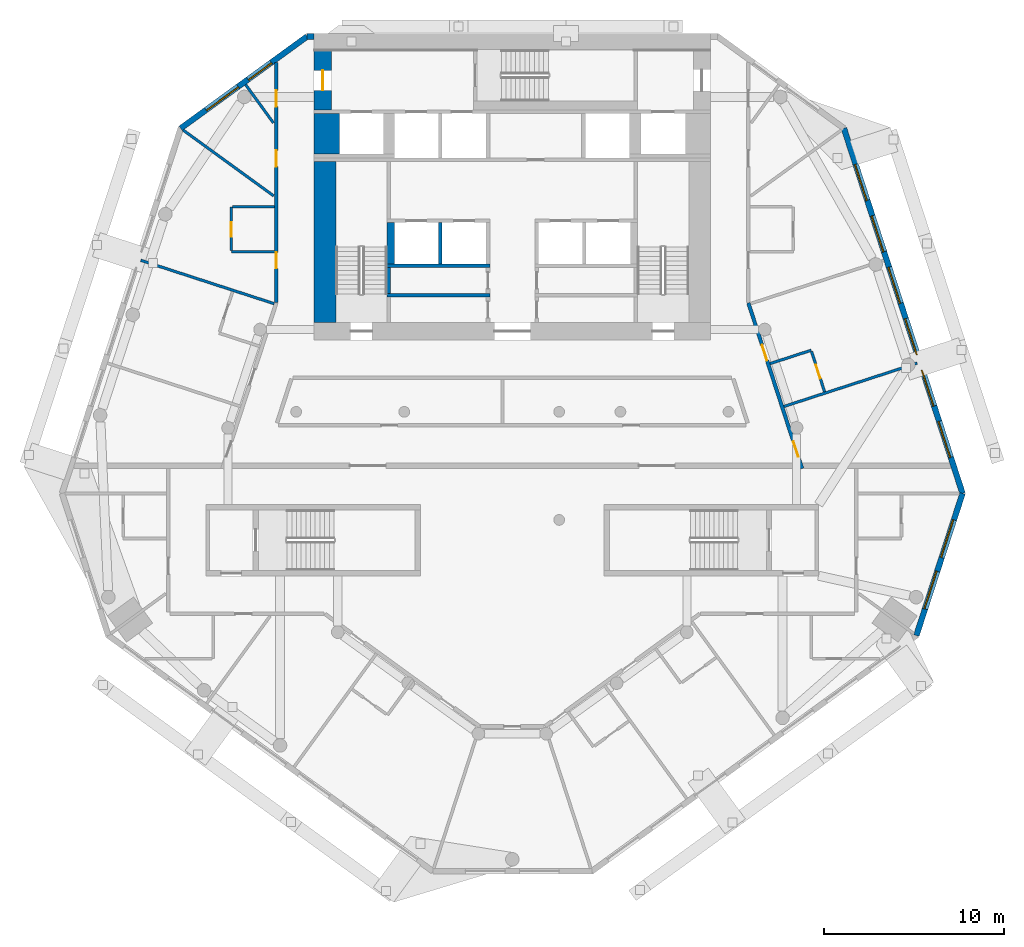
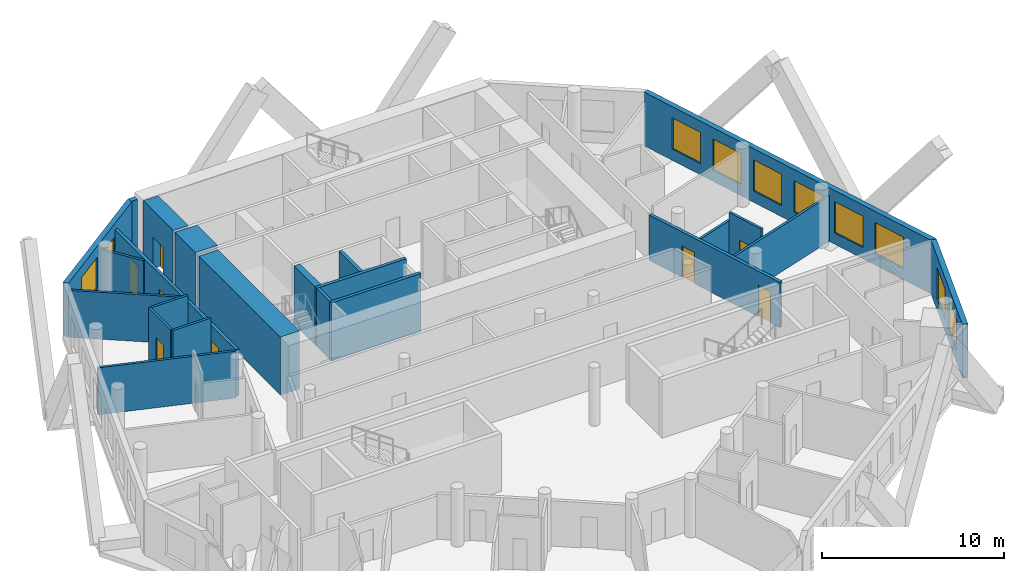
# One storey, part 6 of 10: 23 walls, 10 windows, 8 doors, 18 openings.
"""IFC4 building model written with IfcOpenShell, lengths in metres."""

from ifc_helpers import new_model, si_unit, direction, frame, frame_2d, origin, place, context, subcontext, project, spatial, rectangle, extrude, material, layer, layer_set, type_object, element, fill, save


model = new_model("IFC4")

# Units and contexts
model_context = context("Model", 3, precision=1e-05, world=origin(), true_north=direction((0.0, 1.0)))
body_context = subcontext(model_context, "Body", "Model", "MODEL_VIEW")
ifc_project = project(units=[si_unit("LENGTHUNIT", "METRE"), si_unit("AREAUNIT", "SQUARE_METRE"), si_unit("VOLUMEUNIT", "CUBIC_METRE"), si_unit("PLANEANGLEUNIT", "RADIAN"), si_unit("MASSUNIT", "GRAM", prefix="KILO")], contexts=[model_context])

# Site, building, storey
site_placement = place(None, origin())
site = spatial("IfcSite", under=ifc_project, at=site_placement, CompositionType="ELEMENT")
building_placement = place(site_placement, origin())
building = spatial("IfcBuilding", under=site, at=building_placement, Name="White Candle Pilgrim Tower", CompositionType="ELEMENT")
storey_placement = place(building_placement, frame((0.0, 0.0, 183.699951171875)))
storey = spatial("IfcBuildingStorey", under=building, at=storey_placement, Name="L42", CompositionType="ELEMENT", Elevation=183.699951171875)

# Wall
ifc_material_1 = material(Name="Concrete C60/75", Category="concrete")
ifc_layer_1 = layer(ifc_material_1, 1.39990234375)
ifc_layer_set_1 = layer_set([ifc_layer_1], Name="Core wall 1400 mm Concrete C60/75")
wall_type_1 = type_object("IfcWallType", Name="Core wall 1400 mm Concrete C60/75", PredefinedType="SHEAR", material=ifc_layer_set_1)
wall_1_placement = place(storey_placement, frame((59.699951171875, 81.300048828125, 0.0), z_axis=(0.0, 0.0, 1.0), x_axis=(0.0, 1.0, 0.0)))
element("IfcWall", 1, at=wall_1_placement, inside=storey, type_object=wall_type_1, Name="WL-L42-C42", PredefinedType="SHEAR", context=body_context, shape_type="SweptSolid", body=[
    extrude(rectangle(XDim=2.25, YDim=1.39990234375, at=frame_2d((1.125, 0.0))), origin(), (0.0, 0.0, 1.0), 3.900146484375),
])

# Wall, opening, door
ifc_layer_2 = layer(ifc_material_1, 0.949951171875)
ifc_layer_set_2 = layer_set([ifc_layer_2], Name="Core wall 950 mm Concrete C60/75")
wall_type_2 = type_object("IfcWallType", Name="Core wall 950 mm Concrete C60/75", PredefinedType="SHEAR", material=ifc_layer_set_2)
wall_2_placement = place(storey_placement, frame((59.47509765625, 83.75, 0.0), z_axis=(0.0, 0.0, 1.0), x_axis=(0.0, 1.0, 0.0)))
wall_2 = element("IfcWall", 2, at=wall_2_placement, inside=storey, type_object=wall_type_2, Name="WL-L42-C47", PredefinedType="SHEAR", context=body_context, shape_type="SweptSolid", body=[
    extrude(rectangle(XDim=3.300048828125, YDim=0.949951171875, at=frame_2d((1.64990234375, 0.0))), origin(), (0.0, 0.0, 1.0), 3.900146484375),
])
opening_1_placement = place(wall_2_placement, frame((1.10009765625, 0.0, 0.0)))
opening_1 = element("IfcOpeningElement", 3, at=opening_1_placement, cuts=wall_2, Name="Opening T13-009", PredefinedType="OPENING", context=body_context, shape_type="SweptSolid", body=[
    extrude(rectangle(XDim=1.10009765625, YDim=2.10009765625, at=frame_2d((0.550048828125, 1.050048828125))), frame((0.0, 0.48486328125, 0.0), z_axis=(0.0, -1.0, 0.0), x_axis=(1.0, 0.0, 0.0)), (0.0, 0.0, 1.0), 0.969970703125),
])
ifc_material_2 = material(Name="Steel door leaf", Category="steel")
door_type_1 = type_object("IfcDoorType", Name="Fire door 1100 x 2100 EI 60", OperationType="NOTDEFINED", PredefinedType="DOOR", material=ifc_material_2)
door_1_placement = place(opening_1_placement, origin())
door_1 = element("IfcDoor", 4, at=door_1_placement, inside=storey, type_object=door_type_1, Name="Door T13-009", OperationType="SINGLE_SWING_LEFT", OverallHeight=2.10009765625, OverallWidth=1.10009765625, PredefinedType="DOOR", context=body_context, shape_type="SweptSolid", body=[
    extrude(rectangle(XDim=1.10009765625, YDim=2.10009765625, at=frame_2d((0.550048828125, 1.050048828125))), frame((0.0, 0.02490234375, 0.0), z_axis=(0.0, -1.0, 0.0), x_axis=(1.0, 0.0, 0.0)), (0.0, 0.0, 1.0), 0.050048828125),
])
fill(opening_1, door_1)

# Wall, openings, doors
ifc_material_3 = material(Name="Gypsum board on steel studs", Category="steel")
ifc_layer_3 = layer(ifc_material_3, 0.199951171875)
ifc_layer_set_3 = layer_set([ifc_layer_3], Name="Corridor wall 200 mm EI 45")
wall_type_3 = type_object("IfcWallType", Name="Corridor wall 200 mm EI 45", PredefinedType="PARTITIONING", material=ifc_layer_set_3)
wall_3_placement = place(storey_placement, frame((56.89990234375, 73.072021484375, 0.0), z_axis=(0.0, 0.0, 1.0), x_axis=(0.0, 1.0, 0.0)))
wall_3 = element("IfcWall", 5, at=wall_3_placement, inside=storey, type_object=wall_type_3, Name="WL-L42-P003", PredefinedType="PARTITIONING", context=body_context, shape_type="SweptSolid", body=[
    extrude(rectangle(XDim=13.32421875, YDim=0.199951171875, at=frame_2d((6.662109375, 0.0))), origin(), (0.0, 0.0, 1.0), 3.150146484375),
])
opening_2_placement = place(wall_3_placement, frame((1.885498046875, 0.0, 0.0)))
opening_2 = element("IfcOpeningElement", 6, at=opening_2_placement, cuts=wall_3, Name="Opening T13-126", PredefinedType="OPENING", context=body_context, shape_type="SweptSolid", body=[
    extrude(rectangle(XDim=0.89990234375, YDim=2.10009765625, at=frame_2d((0.449951171875, 1.050048828125))), frame((0.0, 0.10986328125, 0.0), z_axis=(0.0, -1.0, 0.0), x_axis=(1.0, 0.0, 0.0)), (0.0, 0.0, 1.0), 0.219970703125),
])
opening_3_placement = place(wall_3_placement, frame((7.54150390625, 0.0, 0.0)))
opening_3 = element("IfcOpeningElement", 7, at=opening_3_placement, cuts=wall_3, Name="Opening T13-127", PredefinedType="OPENING", context=body_context, shape_type="SweptSolid", body=[
    extrude(rectangle(XDim=0.89990234375, YDim=2.10009765625, at=frame_2d((0.449951171875, 1.050048828125))), frame((0.0, 0.10986328125, 0.0), z_axis=(0.0, -1.0, 0.0), x_axis=(1.0, 0.0, 0.0)), (0.0, 0.0, 1.0), 0.219970703125),
])
opening_4_placement = place(wall_3_placement, frame((10.87548828125, 0.0, 0.0)))
opening_4 = element("IfcOpeningElement", 8, at=opening_4_placement, cuts=wall_3, Name="Opening T13-128", PredefinedType="OPENING", context=body_context, shape_type="SweptSolid", body=[
    extrude(rectangle(XDim=0.89990234375, YDim=2.10009765625, at=frame_2d((0.449951171875, 1.050048828125))), frame((0.0, 0.10986328125, 0.0), z_axis=(0.0, -1.0, 0.0), x_axis=(1.0, 0.0, 0.0)), (0.0, 0.0, 1.0), 0.219970703125),
])
door_type_2 = type_object("IfcDoorType", Name="Fire door 900 x 2100 EI 30", OperationType="NOTDEFINED", PredefinedType="DOOR", material=ifc_material_2)
door_2_placement = place(opening_2_placement, frame((0.89990234375, 0.0, 0.0), z_axis=(0.0, 0.0, 1.0), x_axis=(-1.0, 0.0, 0.0)))
door_2 = element("IfcDoor", 9, at=door_2_placement, inside=storey, type_object=door_type_2, Name="Door T13-126", OperationType="SINGLE_SWING_LEFT", OverallHeight=2.10009765625, OverallWidth=0.89990234375, PredefinedType="DOOR", context=body_context, shape_type="SweptSolid", body=[
    extrude(rectangle(XDim=0.89990234375, YDim=2.10009765625, at=frame_2d((0.449951171875, 1.050048828125))), frame((0.0, 0.02490234375, 0.0), z_axis=(0.0, -1.0, 0.0), x_axis=(1.0, 0.0, 0.0)), (0.0, 0.0, 1.0), 0.050048828125),
])
fill(opening_2, door_2)
door_3_placement = place(opening_3_placement, origin())
door_3 = element("IfcDoor", 10, at=door_3_placement, inside=storey, type_object=door_type_2, Name="Door T13-127", OperationType="SINGLE_SWING_LEFT", OverallHeight=2.10009765625, OverallWidth=0.89990234375, PredefinedType="DOOR", context=body_context, shape_type="SweptSolid", body=[
    extrude(rectangle(XDim=0.89990234375, YDim=2.10009765625, at=frame_2d((0.449951171875, 1.050048828125))), frame((0.0, 0.02490234375, 0.0), z_axis=(0.0, -1.0, 0.0), x_axis=(1.0, 0.0, 0.0)), (0.0, 0.0, 1.0), 0.050048828125),
])
fill(opening_3, door_3)
door_4_placement = place(opening_4_placement, origin())
door_4 = element("IfcDoor", 11, at=door_4_placement, inside=storey, type_object=door_type_2, Name="Door T13-128", OperationType="SINGLE_SWING_RIGHT", OverallHeight=2.10009765625, OverallWidth=0.89990234375, PredefinedType="DOOR", context=body_context, shape_type="SweptSolid", body=[
    extrude(rectangle(XDim=0.89990234375, YDim=2.10009765625, at=frame_2d((0.449951171875, 1.050048828125))), frame((0.0, 0.02490234375, 0.0), z_axis=(0.0, -1.0, 0.0), x_axis=(1.0, 0.0, 0.0)), (0.0, 0.0, 1.0), 0.050048828125),
])
fill(opening_4, door_4)

wall_4_placement = place(storey_placement, frame((83.10498046875, 73.041259765625, 0.0), z_axis=(0.0, 0.0, 1.0), x_axis=(0.309011240603, -0.95105838579, 0.0)))
wall_4 = element("IfcWall", 12, at=wall_4_placement, inside=storey, type_object=wall_type_3, Name="WL-L42-P005", PredefinedType="PARTITIONING", context=body_context, shape_type="SweptSolid", body=[
    extrude(rectangle(XDim=9.6640625, YDim=0.199951171875, at=frame_2d((4.83203125, 0.0))), origin(), (0.0, 0.0, 1.0), 3.050048828125),
])
opening_5_placement = place(wall_4_placement, frame((2.44921875, 0.0, 0.0)))
opening_5 = element("IfcOpeningElement", 13, at=opening_5_placement, cuts=wall_4, Name="Opening T13-132", PredefinedType="OPENING", context=body_context, shape_type="SweptSolid", body=[
    extrude(rectangle(XDim=0.89990234375, YDim=2.10009765625, at=frame_2d((0.449951171875, 1.050048828125))), frame((0.0, 0.10986328125, 0.0), z_axis=(0.0, -1.0, 0.0), x_axis=(1.0, 0.0, 0.0)), (0.0, 0.0, 1.0), 0.219970703125),
])
opening_6_placement = place(wall_4_placement, frame((8.078125, 0.0, 0.0)))
opening_6 = element("IfcOpeningElement", 14, at=opening_6_placement, cuts=wall_4, Name="Opening T13-133", PredefinedType="OPENING", context=body_context, shape_type="SweptSolid", body=[
    extrude(rectangle(XDim=0.89990234375, YDim=2.10009765625, at=frame_2d((0.449951171875, 1.050048828125))), frame((0.0, 0.10986328125, 0.0), z_axis=(0.0, -1.0, 0.0), x_axis=(1.0, 0.0, 0.0)), (0.0, 0.0, 1.0), 0.219970703125),
])
door_5_placement = place(opening_5_placement, origin())
door_5 = element("IfcDoor", 15, at=door_5_placement, inside=storey, type_object=door_type_2, Name="Door T13-132", OperationType="SINGLE_SWING_RIGHT", OverallHeight=2.10009765625, OverallWidth=0.89990234375, PredefinedType="DOOR", context=body_context, shape_type="SweptSolid", body=[
    extrude(rectangle(XDim=0.89990234375, YDim=2.10009765625, at=frame_2d((0.449951171875, 1.050048828125))), frame((0.0, 0.02490234375, 0.0), z_axis=(0.0, -1.0, 0.0), x_axis=(1.0, 0.0, 0.0)), (0.0, 0.0, 1.0), 0.050048828125),
])
fill(opening_5, door_5)
door_6_placement = place(opening_6_placement, origin())
door_6 = element("IfcDoor", 16, at=door_6_placement, inside=storey, type_object=door_type_2, Name="Door T13-133", OperationType="SINGLE_SWING_LEFT", OverallHeight=2.10009765625, OverallWidth=0.89990234375, PredefinedType="DOOR", context=body_context, shape_type="SweptSolid", body=[
    extrude(rectangle(XDim=0.89990234375, YDim=2.10009765625, at=frame_2d((0.449951171875, 1.050048828125))), frame((0.0, 0.02490234375, 0.0), z_axis=(0.0, -1.0, 0.0), x_axis=(1.0, 0.0, 0.0)), (0.0, 0.0, 1.0), 0.050048828125),
])
fill(opening_6, door_6)

# Wall, openings, windows
ifc_material_4 = material(Name="Precast concrete C40/50", Category="concrete")
ifc_layer_4 = layer(ifc_material_4, 0.320068359375)
ifc_layer_set_4 = layer_set([ifc_layer_4], Name="Facade wall EW1 precast concrete C40/50 pier wall with timber-lined reveals")
wall_type_4 = type_object("IfcWallType", Name="Facade wall EW1 precast concrete C40/50 pier wall with timber-lined reveals", PredefinedType="SOLIDWALL", material=ifc_layer_set_4)
wall_5_placement = place(storey_placement, frame((92.43115234375, 54.585205078125, 0.0), z_axis=(0.0, 0.0, 1.0), x_axis=(0.309001512975, 0.951061546368, 0.0)))
wall_5 = element("IfcWall", 17, at=wall_5_placement, inside=storey, type_object=wall_type_4, Name="Facade wall L42 E chamfer", PredefinedType="SOLIDWALL", context=body_context, shape_type="SweptSolid", body=[
    extrude(rectangle(XDim=8.291259765625, YDim=0.320068359375, at=frame_2d((4.1455078125, 0.0))), origin(), (0.0, 0.0, 1.0), 3.60009765625),
])
opening_7_placement = place(wall_5_placement, frame((1.545654296875, 0.0, 0.75)))
opening_7 = element("IfcOpeningElement", 18, at=opening_7_placement, cuts=wall_5, Name="Opening W4", PredefinedType="OPENING", context=body_context, shape_type="SweptSolid", body=[
    extrude(rectangle(XDim=2.199951171875, YDim=2.10009765625, at=frame_2d((1.10009765625, 1.050048828125))), frame((0.0, 0.169921875, 0.0), z_axis=(0.0, -1.0, 0.0), x_axis=(1.0, 0.0, 0.0)), (0.0, 0.0, 1.0), 0.340087890625),
])
opening_8_placement = place(wall_5_placement, frame((4.545654296875, 0.0, 0.75)))
opening_8 = element("IfcOpeningElement", 19, at=opening_8_placement, cuts=wall_5, Name="Opening W4", PredefinedType="OPENING", context=body_context, shape_type="SweptSolid", body=[
    extrude(rectangle(XDim=2.199951171875, YDim=2.10009765625, at=frame_2d((1.10009765625, 1.050048828125))), frame((0.0, 0.169921875, 0.0), z_axis=(0.0, -1.0, 0.0), x_axis=(1.0, 0.0, 0.0)), (0.0, 0.0, 1.0), 0.340087890625),
])
ifc_material_5 = material(Name="Timber frame with triple glazing", Category="wood")
window_type_1 = type_object("IfcWindowType", Name="Window W4 2200x2100 timber frame triple glazing", PartitioningType="SINGLE_PANEL", PredefinedType="WINDOW", material=ifc_material_5)
window_1_placement = place(opening_7_placement, origin())
window_1 = element("IfcWindow", 20, at=window_1_placement, inside=storey, type_object=window_type_1, Name="Window W4 L42 E chamfer 1", OverallHeight=2.10009765625, OverallWidth=2.199951171875, PartitioningType="SINGLE_PANEL", PredefinedType="WINDOW", context=body_context, shape_type="SweptSolid", body=[
    extrude(rectangle(XDim=2.199951171875, YDim=2.10009765625, at=frame_2d((1.10009765625, 1.050048828125))), frame((0.0, 0.070068359375, 0.0), z_axis=(0.0, -1.0, 0.0), x_axis=(1.0, 0.0, 0.0)), (0.0, 0.0, 1.0), 0.06005859375),
])
fill(opening_7, window_1)
window_2_placement = place(opening_8_placement, origin())
window_2 = element("IfcWindow", 21, at=window_2_placement, inside=storey, type_object=window_type_1, Name="Window W4 L42 E chamfer 2", OverallHeight=2.10009765625, OverallWidth=2.199951171875, PartitioningType="SINGLE_PANEL", PredefinedType="WINDOW", context=body_context, shape_type="SweptSolid", body=[
    extrude(rectangle(XDim=2.199951171875, YDim=2.10009765625, at=frame_2d((1.10009765625, 1.050048828125))), frame((0.0, 0.070068359375, 0.0), z_axis=(0.0, -1.0, 0.0), x_axis=(1.0, 0.0, 0.0)), (0.0, 0.0, 1.0), 0.06005859375),
])
fill(opening_8, window_2)

wall_6_placement = place(storey_placement, frame((94.9931640625, 62.470703125, 0.0), z_axis=(0.0, 0.0, 1.0), x_axis=(-0.309014571298, 0.951057303597, 0.0)))
wall_6 = element("IfcWall", 22, at=wall_6_placement, inside=storey, type_object=wall_type_4, Name="Facade wall L42 ENE", PredefinedType="SOLIDWALL", context=body_context, shape_type="SweptSolid", body=[
    extrude(rectangle(XDim=21.3095703125, YDim=0.320068359375, at=frame_2d((10.65478515625, 0.0))), origin(), (0.0, 0.0, 1.0), 3.60009765625),
])
opening_9_placement = place(wall_6_placement, frame((2.104736328125, 0.0, 0.75)))
opening_9 = element("IfcOpeningElement", 23, at=opening_9_placement, cuts=wall_6, Name="Opening W3", PredefinedType="OPENING", context=body_context, shape_type="SweptSolid", body=[
    extrude(rectangle(XDim=2.10009765625, YDim=2.10009765625, at=frame_2d((1.050048828125, 1.050048828125))), frame((0.0, 0.169921875, 0.0), z_axis=(0.0, -1.0, 0.0), x_axis=(1.0, 0.0, 0.0)), (0.0, 0.0, 1.0), 0.340087890625),
])
opening_10_placement = place(wall_6_placement, frame((5.104736328125, 0.0, 0.75)))
opening_10 = element("IfcOpeningElement", 24, at=opening_10_placement, cuts=wall_6, Name="Opening W3", PredefinedType="OPENING", context=body_context, shape_type="SweptSolid", body=[
    extrude(rectangle(XDim=2.10009765625, YDim=2.10009765625, at=frame_2d((1.050048828125, 1.050048828125))), frame((0.0, 0.169921875, 0.0), z_axis=(0.0, -1.0, 0.0), x_axis=(1.0, 0.0, 0.0)), (0.0, 0.0, 1.0), 0.340087890625),
])
opening_11_placement = place(wall_6_placement, frame((8.104736328125, 0.0, 0.75)))
opening_11 = element("IfcOpeningElement", 25, at=opening_11_placement, cuts=wall_6, Name="Opening W3", PredefinedType="OPENING", context=body_context, shape_type="SweptSolid", body=[
    extrude(rectangle(XDim=2.10009765625, YDim=2.10009765625, at=frame_2d((1.050048828125, 1.050048828125))), frame((0.0, 0.169921875, 0.0), z_axis=(0.0, -1.0, 0.0), x_axis=(1.0, 0.0, 0.0)), (0.0, 0.0, 1.0), 0.340087890625),
])
opening_12_placement = place(wall_6_placement, frame((11.104736328125, 0.0, 0.75)))
opening_12 = element("IfcOpeningElement", 26, at=opening_12_placement, cuts=wall_6, Name="Opening W3", PredefinedType="OPENING", context=body_context, shape_type="SweptSolid", body=[
    extrude(rectangle(XDim=2.10009765625, YDim=2.10009765625, at=frame_2d((1.050048828125, 1.050048828125))), frame((0.0, 0.169921875, 0.0), z_axis=(0.0, -1.0, 0.0), x_axis=(1.0, 0.0, 0.0)), (0.0, 0.0, 1.0), 0.340087890625),
])
opening_13_placement = place(wall_6_placement, frame((14.104736328125, 0.0, 0.75)))
opening_13 = element("IfcOpeningElement", 27, at=opening_13_placement, cuts=wall_6, Name="Opening W3", PredefinedType="OPENING", context=body_context, shape_type="SweptSolid", body=[
    extrude(rectangle(XDim=2.10009765625, YDim=2.10009765625, at=frame_2d((1.050048828125, 1.050048828125))), frame((0.0, 0.169921875, 0.0), z_axis=(0.0, -1.0, 0.0), x_axis=(1.0, 0.0, 0.0)), (0.0, 0.0, 1.0), 0.340087890625),
])
opening_14_placement = place(wall_6_placement, frame((17.104736328125, 0.0, 0.75)))
opening_14 = element("IfcOpeningElement", 28, at=opening_14_placement, cuts=wall_6, Name="Opening W3", PredefinedType="OPENING", context=body_context, shape_type="SweptSolid", body=[
    extrude(rectangle(XDim=2.10009765625, YDim=2.10009765625, at=frame_2d((1.050048828125, 1.050048828125))), frame((0.0, 0.169921875, 0.0), z_axis=(0.0, -1.0, 0.0), x_axis=(1.0, 0.0, 0.0)), (0.0, 0.0, 1.0), 0.340087890625),
])
window_type_2 = type_object("IfcWindowType", Name="Window W3 2100x2100 timber frame triple glazing", PartitioningType="SINGLE_PANEL", PredefinedType="WINDOW", material=ifc_material_5)
window_3_placement = place(opening_9_placement, origin())
window_3 = element("IfcWindow", 29, at=window_3_placement, inside=storey, type_object=window_type_2, Name="Window W3 L42 ENE 1", OverallHeight=2.10009765625, OverallWidth=2.10009765625, PartitioningType="SINGLE_PANEL", PredefinedType="WINDOW", context=body_context, shape_type="SweptSolid", body=[
    extrude(rectangle(XDim=2.10009765625, YDim=2.10009765625, at=frame_2d((1.050048828125, 1.050048828125))), frame((0.0, 0.070068359375, 0.0), z_axis=(0.0, -1.0, 0.0), x_axis=(1.0, 0.0, 0.0)), (0.0, 0.0, 1.0), 0.06005859375),
])
fill(opening_9, window_3)
window_4_placement = place(opening_10_placement, origin())
window_4 = element("IfcWindow", 30, at=window_4_placement, inside=storey, type_object=window_type_2, Name="Window W3 L42 ENE 2", OverallHeight=2.10009765625, OverallWidth=2.10009765625, PartitioningType="SINGLE_PANEL", PredefinedType="WINDOW", context=body_context, shape_type="SweptSolid", body=[
    extrude(rectangle(XDim=2.10009765625, YDim=2.10009765625, at=frame_2d((1.050048828125, 1.050048828125))), frame((0.0, 0.070068359375, 0.0), z_axis=(0.0, -1.0, 0.0), x_axis=(1.0, 0.0, 0.0)), (0.0, 0.0, 1.0), 0.06005859375),
])
fill(opening_10, window_4)
window_5_placement = place(opening_11_placement, origin())
window_5 = element("IfcWindow", 31, at=window_5_placement, inside=storey, type_object=window_type_2, Name="Window W3 L42 ENE 3", OverallHeight=2.10009765625, OverallWidth=2.10009765625, PartitioningType="SINGLE_PANEL", PredefinedType="WINDOW", context=body_context, shape_type="SweptSolid", body=[
    extrude(rectangle(XDim=2.10009765625, YDim=2.10009765625, at=frame_2d((1.050048828125, 1.050048828125))), frame((0.0, 0.070068359375, 0.0), z_axis=(0.0, -1.0, 0.0), x_axis=(1.0, 0.0, 0.0)), (0.0, 0.0, 1.0), 0.06005859375),
])
fill(opening_11, window_5)
window_6_placement = place(opening_12_placement, origin())
window_6 = element("IfcWindow", 32, at=window_6_placement, inside=storey, type_object=window_type_2, Name="Window W3 L42 ENE 4", OverallHeight=2.10009765625, OverallWidth=2.10009765625, PartitioningType="SINGLE_PANEL", PredefinedType="WINDOW", context=body_context, shape_type="SweptSolid", body=[
    extrude(rectangle(XDim=2.10009765625, YDim=2.10009765625, at=frame_2d((1.050048828125, 1.050048828125))), frame((0.0, 0.070068359375, 0.0), z_axis=(0.0, -1.0, 0.0), x_axis=(1.0, 0.0, 0.0)), (0.0, 0.0, 1.0), 0.06005859375),
])
fill(opening_12, window_6)
window_7_placement = place(opening_13_placement, origin())
window_7 = element("IfcWindow", 33, at=window_7_placement, inside=storey, type_object=window_type_2, Name="Window W3 L42 ENE 5", OverallHeight=2.10009765625, OverallWidth=2.10009765625, PartitioningType="SINGLE_PANEL", PredefinedType="WINDOW", context=body_context, shape_type="SweptSolid", body=[
    extrude(rectangle(XDim=2.10009765625, YDim=2.10009765625, at=frame_2d((1.050048828125, 1.050048828125))), frame((0.0, 0.070068359375, 0.0), z_axis=(0.0, -1.0, 0.0), x_axis=(1.0, 0.0, 0.0)), (0.0, 0.0, 1.0), 0.06005859375),
])
fill(opening_13, window_7)
window_8_placement = place(opening_14_placement, origin())
window_8 = element("IfcWindow", 34, at=window_8_placement, inside=storey, type_object=window_type_2, Name="Window W3 L42 ENE 6", OverallHeight=2.10009765625, OverallWidth=2.10009765625, PartitioningType="SINGLE_PANEL", PredefinedType="WINDOW", context=body_context, shape_type="SweptSolid", body=[
    extrude(rectangle(XDim=2.10009765625, YDim=2.10009765625, at=frame_2d((1.050048828125, 1.050048828125))), frame((0.0, 0.070068359375, 0.0), z_axis=(0.0, -1.0, 0.0), x_axis=(1.0, 0.0, 0.0)), (0.0, 0.0, 1.0), 0.06005859375),
])
fill(opening_14, window_8)

# Wall
wall_7_placement = place(storey_placement, frame((59.0, 87.840087890625, 0.0), z_axis=(0.0, 0.0, 1.0), x_axis=(-1.0, 0.0, 0.0)))
element("IfcWall", 35, at=wall_7_placement, inside=storey, type_object=wall_type_4, Name="Facade wall L42 N", PredefinedType="SOLIDWALL", context=body_context, shape_type="SweptSolid", body=[
    extrude(rectangle(XDim=0.385009765625, YDim=0.320068359375, at=frame_2d((0.1923828125, 0.0))), origin(), (0.0, 0.0, 1.0), 3.60009765625),
])

# Wall, openings, windows
wall_8_placement = place(storey_placement, frame((58.614990234375, 87.840087890625, 0.0), z_axis=(0.0, 0.0, 1.0), x_axis=(-0.809009624381, -0.587795396085, 0.0)))
wall_8 = element("IfcWall", 36, at=wall_8_placement, inside=storey, type_object=wall_type_4, Name="Facade wall L42 NW chamfer", PredefinedType="SOLIDWALL", context=body_context, shape_type="SweptSolid", body=[
    extrude(rectangle(XDim=8.68115234375, YDim=0.320068359375, at=frame_2d((4.340576171875, 0.0))), origin(), (0.0, 0.0, 1.0), 3.60009765625),
])
opening_15_placement = place(wall_8_placement, frame((2.459716796875, 0.0, 0.89990234375)))
opening_15 = element("IfcOpeningElement", 37, at=opening_15_placement, cuts=wall_8, Name="Opening W2", PredefinedType="OPENING", context=body_context, shape_type="SweptSolid", body=[
    extrude(rectangle(XDim=1.60009765625, YDim=1.800048828125, at=frame_2d((0.800048828125, 0.89990234375))), frame((0.0, 0.169921875, 0.0), z_axis=(0.0, -1.0, 0.0), x_axis=(1.0, 0.0, 0.0)), (0.0, 0.0, 1.0), 0.340087890625),
])
opening_16_placement = place(wall_8_placement, frame((4.740478515625, 0.0, 0.75)))
opening_16 = element("IfcOpeningElement", 38, at=opening_16_placement, cuts=wall_8, Name="Opening W4", PredefinedType="OPENING", context=body_context, shape_type="SweptSolid", body=[
    extrude(rectangle(XDim=2.199951171875, YDim=2.10009765625, at=frame_2d((1.10009765625, 1.050048828125))), frame((0.0, 0.169921875, 0.0), z_axis=(0.0, -1.0, 0.0), x_axis=(1.0, 0.0, 0.0)), (0.0, 0.0, 1.0), 0.340087890625),
])
window_type_3 = type_object("IfcWindowType", Name="Window W2 1600x1800 timber frame triple glazing", PartitioningType="SINGLE_PANEL", PredefinedType="WINDOW", material=ifc_material_5)
window_9_placement = place(opening_15_placement, origin())
window_9 = element("IfcWindow", 39, at=window_9_placement, inside=storey, type_object=window_type_3, Name="Window W2 L42 NW chamfer 1", OverallHeight=1.800048828125, OverallWidth=1.60009765625, PartitioningType="SINGLE_PANEL", PredefinedType="WINDOW", context=body_context, shape_type="SweptSolid", body=[
    extrude(rectangle(XDim=1.60009765625, YDim=1.800048828125, at=frame_2d((0.800048828125, 0.89990234375))), frame((0.0, 0.070068359375, 0.0), z_axis=(0.0, -1.0, 0.0), x_axis=(1.0, 0.0, 0.0)), (0.0, 0.0, 1.0), 0.06005859375),
])
fill(opening_15, window_9)
window_10_placement = place(opening_16_placement, origin())
window_10 = element("IfcWindow", 40, at=window_10_placement, inside=storey, type_object=window_type_1, Name="Window W4 L42 NW chamfer 2", OverallHeight=2.10009765625, OverallWidth=2.199951171875, PartitioningType="SINGLE_PANEL", PredefinedType="WINDOW", context=body_context, shape_type="SweptSolid", body=[
    extrude(rectangle(XDim=2.199951171875, YDim=2.10009765625, at=frame_2d((1.10009765625, 1.050048828125))), frame((0.0, 0.070068359375, 0.0), z_axis=(0.0, -1.0, 0.0), x_axis=(1.0, 0.0, 0.0)), (0.0, 0.0, 1.0), 0.06005859375),
])
fill(opening_16, window_10)

# Walls
ifc_layer_5 = layer(ifc_material_3, 0.14990234375)
ifc_layer_set_5 = layer_set([ifc_layer_5], Name="Partition 150 mm EI 60")
wall_type_5 = type_object("IfcWallType", Name="Partition 150 mm EI 60", PredefinedType="PARTITIONING", material=ifc_layer_set_5)
wall_9_placement = place(storey_placement, frame((51.727783203125, 82.638427734375, 0.0), z_axis=(0.0, 0.0, 1.0), x_axis=(0.809038352218, -0.58775585462, 0.0)))
element("IfcWall", 41, at=wall_9_placement, inside=storey, type_object=wall_type_5, Name="WL-L42-P017", PredefinedType="PARTITIONING", context=body_context, shape_type="SweptSolid", body=[
    extrude(rectangle(XDim=6.21484375, YDim=0.14990234375, at=frame_2d((3.107421875, 0.0))), origin(), (0.0, 0.0, 1.0), 3.150146484375),
])
wall_10_placement = place(storey_placement, frame((55.197509765625, 85.1591796875, 0.0), z_axis=(0.0, 0.0, 1.0), x_axis=(0.587778694089, -0.809021759148, 0.0)))
element("IfcWall", 42, at=wall_10_placement, inside=storey, type_object=wall_type_5, Name="WL-L42-P025", PredefinedType="PARTITIONING", context=body_context, shape_type="SweptSolid", body=[
    extrude(rectangle(XDim=2.623046875, YDim=0.14990234375, at=frame_2d((1.3115234375, 0.0))), origin(), (0.0, 0.0, 1.0), 3.150146484375),
])
wall_11_placement = place(storey_placement, frame((49.37841796875, 75.40771484375, 0.0), z_axis=(0.0, 0.0, 1.0), x_axis=(0.951062659592, -0.308998086611, 0.0)))
element("IfcWall", 43, at=wall_11_placement, inside=storey, type_object=wall_type_5, Name="WL-L42-P026", PredefinedType="PARTITIONING", context=body_context, shape_type="SweptSolid", body=[
    extrude(rectangle(XDim=7.7802734375, YDim=0.14990234375, at=frame_2d((3.89013671875, 0.0))), origin(), (0.0, 0.0, 1.0), 3.150146484375),
])
wall_12_placement = place(storey_placement, frame((56.800048828125, 75.880859375, 0.0), z_axis=(0.0, 0.0, 1.0), x_axis=(-1.0, 0.0, 0.0)))
element("IfcWall", 44, at=wall_12_placement, inside=storey, type_object=wall_type_5, Name="WL-L42-P028", PredefinedType="PARTITIONING", context=body_context, shape_type="SweptSolid", body=[
    extrude(rectangle(XDim=2.400146484375, YDim=0.14990234375, at=frame_2d((1.2001953125, 0.0))), origin(), (0.0, 0.0, 1.0), 3.60009765625),
])

# Wall, opening, door
wall_13_placement = place(storey_placement, frame((54.39990234375, 78.380859375, 0.0), z_axis=(0.0, 0.0, 1.0), x_axis=(0.0, -1.0, 0.0)))
wall_13 = element("IfcWall", 45, at=wall_13_placement, inside=storey, type_object=wall_type_5, Name="WL-L42-P029", PredefinedType="PARTITIONING", context=body_context, shape_type="SweptSolid", body=[
    extrude(rectangle(XDim=2.425048828125, YDim=0.14990234375, at=frame_2d((1.21240234375, 0.0))), origin(), (0.0, 0.0, 1.0), 3.60009765625),
])
opening_17_placement = place(wall_13_placement, frame((0.85009765625, 0.0, 0.0)))
opening_17 = element("IfcOpeningElement", 46, at=opening_17_placement, cuts=wall_13, Name="Opening T13-101", PredefinedType="OPENING", context=body_context, shape_type="SweptSolid", body=[
    extrude(rectangle(XDim=0.800048828125, YDim=2.10009765625, at=frame_2d((0.39990234375, 1.050048828125))), frame((0.0, 0.0849609375, 0.0), z_axis=(0.0, -1.0, 0.0), x_axis=(1.0, 0.0, 0.0)), (0.0, 0.0, 1.0), 0.169921875),
])
door_type_3 = type_object("IfcDoorType", Name="Fire door 800 x 2100 EI 30", OperationType="NOTDEFINED", PredefinedType="DOOR", material=ifc_material_2)
door_7_placement = place(opening_17_placement, frame((0.800048828125, 0.0, 0.0), z_axis=(0.0, 0.0, 1.0), x_axis=(-1.0, 0.0, 0.0)))
door_7 = element("IfcDoor", 47, at=door_7_placement, inside=storey, type_object=door_type_3, Name="Door T13-101", OperationType="SINGLE_SWING_RIGHT", OverallHeight=2.10009765625, OverallWidth=0.800048828125, PredefinedType="DOOR", context=body_context, shape_type="SweptSolid", body=[
    extrude(rectangle(XDim=0.800048828125, YDim=2.10009765625, at=frame_2d((0.39990234375, 1.050048828125))), frame((0.0, 0.02490234375, 0.0), z_axis=(0.0, -1.0, 0.0), x_axis=(1.0, 0.0, 0.0)), (0.0, 0.0, 1.0), 0.050048828125),
])
fill(opening_17, door_7)

# Walls
wall_14_placement = place(storey_placement, frame((56.800048828125, 78.380859375, 0.0), z_axis=(0.0, 0.0, 1.0), x_axis=(-1.0, 0.0, 0.0)))
element("IfcWall", 48, at=wall_14_placement, inside=storey, type_object=wall_type_5, Name="WL-L42-P030", PredefinedType="PARTITIONING", context=body_context, shape_type="SweptSolid", body=[
    extrude(rectangle(XDim=2.324951171875, YDim=0.14990234375, at=frame_2d((1.16259765625, 0.0))), origin(), (0.0, 0.0, 1.0), 3.60009765625),
])
wall_15_placement = place(storey_placement, frame((92.4755859375, 69.701416015625, 0.0), z_axis=(0.0, 0.0, 1.0), x_axis=(-0.951059663309, -0.309007308694, 0.0)))
element("IfcWall", 49, at=wall_15_placement, inside=storey, type_object=wall_type_5, Name="WL-L42-P051", PredefinedType="PARTITIONING", context=body_context, shape_type="SweptSolid", body=[
    extrude(rectangle(XDim=7.780029296875, YDim=0.14990234375, at=frame_2d((3.89013671875, 0.0))), origin(), (0.0, 0.0, 1.0), 3.050048828125),
])
wall_16_placement = place(storey_placement, frame((84.3037109375, 69.6748046875, 0.0), z_axis=(0.0, 0.0, 1.0), x_axis=(0.951046776628, 0.309046968381, 0.0)))
element("IfcWall", 50, at=wall_16_placement, inside=storey, type_object=wall_type_5, Name="WL-L42-P053", PredefinedType="PARTITIONING", context=body_context, shape_type="SweptSolid", body=[
    extrude(rectangle(XDim=2.39990234375, YDim=0.14990234375, at=frame_2d((1.199951171875, 0.0))), origin(), (0.0, 0.0, 1.0), 3.050048828125),
])

# Wall, opening, door
wall_17_placement = place(storey_placement, frame((87.335693359375, 68.1103515625, 0.0), z_axis=(0.0, 0.0, 1.0), x_axis=(-0.308987401554, 0.951066131077, 0.0)))
wall_17 = element("IfcWall", 51, at=wall_17_placement, inside=storey, type_object=wall_type_5, Name="WL-L42-P054", PredefinedType="PARTITIONING", context=body_context, shape_type="SweptSolid", body=[
    extrude(rectangle(XDim=2.349853515625, YDim=0.14990234375, at=frame_2d((1.1748046875, 0.0))), origin(), (0.0, 0.0, 1.0), 3.60009765625),
])
opening_18_placement = place(wall_17_placement, frame((0.77490234375, 0.0, 0.0)))
opening_18 = element("IfcOpeningElement", 52, at=opening_18_placement, cuts=wall_17, Name="Opening T13-118", PredefinedType="OPENING", context=body_context, shape_type="SweptSolid", body=[
    extrude(rectangle(XDim=0.800048828125, YDim=2.10009765625, at=frame_2d((0.39990234375, 1.050048828125))), frame((0.0, 0.0849609375, 0.0), z_axis=(0.0, -1.0, 0.0), x_axis=(1.0, 0.0, 0.0)), (0.0, 0.0, 1.0), 0.169921875),
])
door_8_placement = place(opening_18_placement, frame((0.800048828125, 0.0, 0.0), z_axis=(0.0, 0.0, 1.0), x_axis=(-1.0, 0.0, 0.0)))
door_8 = element("IfcDoor", 53, at=door_8_placement, inside=storey, type_object=door_type_3, Name="Door T13-118", OperationType="SINGLE_SWING_LEFT", OverallHeight=2.10009765625, OverallWidth=0.800048828125, PredefinedType="DOOR", context=body_context, shape_type="SweptSolid", body=[
    extrude(rectangle(XDim=0.800048828125, YDim=2.10009765625, at=frame_2d((0.39990234375, 1.050048828125))), frame((0.0, 0.02490234375, 0.0), z_axis=(0.0, -1.0, 0.0), x_axis=(1.0, 0.0, 0.0)), (0.0, 0.0, 1.0), 0.050048828125),
])
fill(opening_18, door_8)

# Walls
ifc_layer_6 = layer(ifc_material_1, 0.199951171875)
ifc_layer_set_6 = layer_set([ifc_layer_6], Name="Shaft wall 200 mm Concrete C60/75")
wall_type_6 = type_object("IfcWallType", Name="Shaft wall 200 mm Concrete C60/75", PredefinedType="SHEAR", material=ifc_layer_set_6)
wall_18_placement = place(storey_placement, frame((66.0, 75.199951171875, 0.0), z_axis=(0.0, 0.0, 1.0), x_axis=(0.0, 1.0, 0.0)))
element("IfcWall", 54, at=wall_18_placement, inside=storey, type_object=wall_type_6, Name="WL-L42-C27", PredefinedType="SHEAR", context=body_context, shape_type="SweptSolid", body=[
    extrude(rectangle(XDim=2.300048828125, YDim=0.199951171875, at=frame_2d((1.14990234375, 0.0))), origin(), (0.0, 0.0, 1.0), 3.900146484375),
])
ifc_layer_7 = layer(ifc_material_1, 1.199951171875)
ifc_layer_set_7 = layer_set([ifc_layer_7], Name="Stair shaft wall 1200 mm Concrete C60/75")
wall_type_7 = type_object("IfcWallType", Name="Stair shaft wall 1200 mm Concrete C60/75", PredefinedType="SHEAR", material=ifc_layer_set_7)
wall_19_placement = place(storey_placement, frame((59.60009765625, 71.949951171875, 0.0), z_axis=(0.0, 0.0, 1.0), x_axis=(0.0, 1.0, 0.0)))
element("IfcWall", 55, at=wall_19_placement, inside=storey, type_object=wall_type_7, Name="WL-L42-C12", PredefinedType="SHEAR", context=body_context, shape_type="SweptSolid", body=[
    extrude(rectangle(XDim=8.949951171875, YDim=1.199951171875, at=frame_2d((4.47509765625, 0.0))), origin(), (0.0, 0.0, 1.0), 3.900146484375),
])
ifc_layer_8 = layer(ifc_material_1, 0.199951171875)
ifc_layer_set_8 = layer_set([ifc_layer_8], Name="Stair shaft wall 200 mm Concrete C60/75")
wall_type_8 = type_object("IfcWallType", Name="Stair shaft wall 200 mm Concrete C60/75", PredefinedType="SHEAR", material=ifc_layer_set_8)
wall_20_placement = place(storey_placement, frame((63.050048828125, 73.47509765625, 0.0), z_axis=(0.0, 0.0, 1.0), x_axis=(1.0, 0.0, 0.0)))
element("IfcWall", 56, at=wall_20_placement, inside=storey, type_object=wall_type_8, Name="WL-L42-C18", PredefinedType="SHEAR", context=body_context, shape_type="SweptSolid", body=[
    extrude(rectangle(XDim=5.699951171875, YDim=0.199951171875, at=frame_2d((2.85009765625, 0.0))), origin(), (0.0, 0.0, 1.0), 3.900146484375),
])
wall_21_placement = place(storey_placement, frame((63.14990234375, 73.574951171875, 0.0), z_axis=(0.0, 0.0, 1.0), x_axis=(0.0, 1.0, 0.0)))
element("IfcWall", 57, at=wall_21_placement, inside=storey, type_object=wall_type_8, Name="WL-L42-C20", PredefinedType="SHEAR", context=body_context, shape_type="SweptSolid", body=[
    extrude(rectangle(XDim=1.425048828125, YDim=0.199951171875, at=frame_2d((0.71240234375, 0.0))), origin(), (0.0, 0.0, 1.0), 3.900146484375),
])
wall_22_placement = place(storey_placement, frame((63.050048828125, 75.10009765625, 0.0), z_axis=(0.0, 0.0, 1.0), x_axis=(1.0, 0.0, 0.0)))
element("IfcWall", 58, at=wall_22_placement, inside=storey, type_object=wall_type_8, Name="WL-L42-C24", PredefinedType="SHEAR", context=body_context, shape_type="SweptSolid", body=[
    extrude(rectangle(XDim=5.699951171875, YDim=0.199951171875, at=frame_2d((2.85009765625, 0.0))), origin(), (0.0, 0.0, 1.0), 3.900146484375),
])
ifc_layer_9 = layer(ifc_material_1, 0.39990234375)
ifc_layer_set_9 = layer_set([ifc_layer_9], Name="Stair shaft wall 400 mm Concrete C60/75")
wall_type_9 = type_object("IfcWallType", Name="Stair shaft wall 400 mm Concrete C60/75", PredefinedType="SHEAR", material=ifc_layer_set_9)
wall_23_placement = place(storey_placement, frame((63.25, 75.199951171875, 0.0), z_axis=(0.0, 0.0, 1.0), x_axis=(0.0, 1.0, 0.0)))
element("IfcWall", 59, at=wall_23_placement, inside=storey, type_object=wall_type_9, Name="WL-L42-C26", PredefinedType="SHEAR", context=body_context, shape_type="SweptSolid", body=[
    extrude(rectangle(XDim=2.300048828125, YDim=0.39990234375, at=frame_2d((1.14990234375, 0.0))), origin(), (0.0, 0.0, 1.0), 3.900146484375),
])

save(model, "model.ifc")
